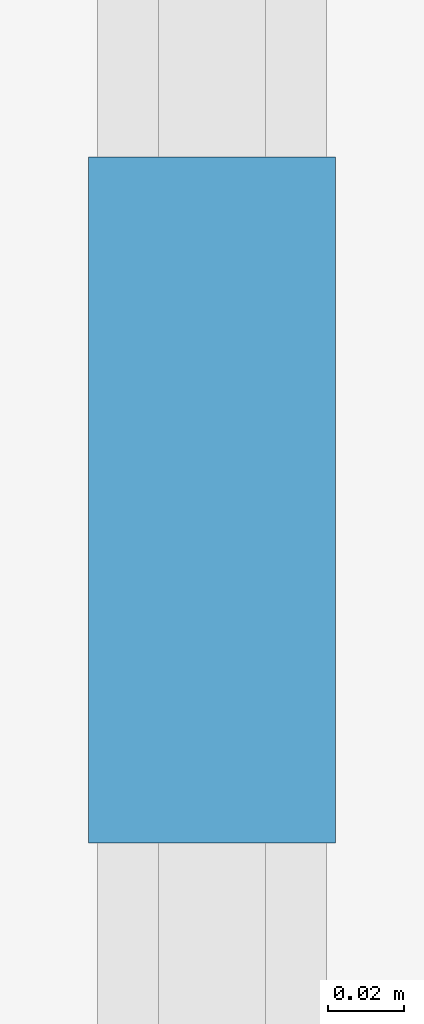
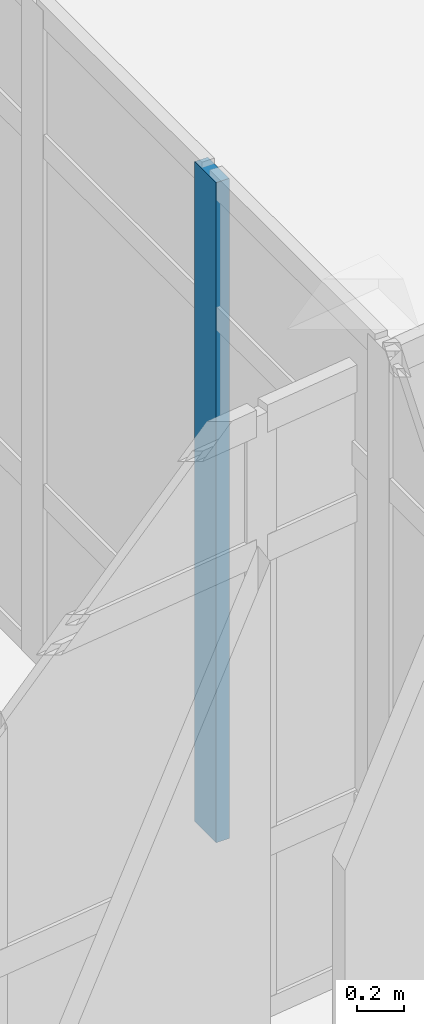
# One storey, part 42 of 125: 1 member, 1 element without a shape of its own.
"""IFC4 building model written with IfcOpenShell, lengths in metres."""

import ifcopenshell
import ifcopenshell.guid

model = None  # the IFC model being written
_history = None  # IfcOwnerHistory: only IFC2X3 demands one
_inside = {}  # id of a spatial element -> (the spatial element, [elements in it])
_under = {}  # id of a project, library or spatial element -> (it, [spatial elements below it])
_declared = {}  # id of a project -> (the project, [libraries it declares])
_typed = {}  # id of a type object -> (the type object, [elements of that type])
_made_of = {}  # id of a material, layer set ... -> (it, [elements and type objects made of it])


def new_model(schema):
    """Start an empty IFC model of exactly this schema.

    Asked for "IFC4X3", IfcOpenShell would pick the latest addendum, in which some entities
    have other attributes; the version numbers below select the first issue.
    IFC2X3 requires an IfcOwnerHistory on every rooted entity: one is made here for all.
    """
    global model, _history
    if schema == "IFC4X3":
        model = ifcopenshell.file(schema_version=(4, 3, 0, 0))
    else:
        model = ifcopenshell.file(schema=schema)
    _inside.clear()
    _under.clear()
    _declared.clear()
    _typed.clear()
    _made_of.clear()
    _history = None
    if model.schema == "IFC2X3":
        org = make("IfcOrganization", Name="unknown")
        user = make(
            "IfcPersonAndOrganization",
            ThePerson=make("IfcPerson", FamilyName="unknown"),
            TheOrganization=org,
        )
        app = make(
            "IfcApplication",
            ApplicationDeveloper=org,
            Version="unknown",
            ApplicationFullName="unknown",
            ApplicationIdentifier="unknown",
        )
        _history = make(
            "IfcOwnerHistory",
            OwningUser=user,
            OwningApplication=app,
            ChangeAction="ADDED",
            CreationDate=0,
        )
    return model


def make(cls, **values):
    """One entity of the class cls with the attributes given. An attribute that is None is left unset."""
    return model.create_entity(
        cls, **{name: value for name, value in values.items() if value is not None}
    )


def rooted(cls, **values):
    """An entity with a GlobalId (a new one), such as an element, a storey or a relation."""
    return make(cls, GlobalId=ifcopenshell.guid.new(), OwnerHistory=_history, **values)


def si_unit(unit_type, name, prefix=None):
    """IfcSIUnit, for example si_unit("LENGTHUNIT", "METRE", prefix="MILLI")."""
    return make("IfcSIUnit", UnitType=unit_type, Prefix=prefix, Name=name)


def assignment(units):
    """IfcUnitAssignment: the units of a project."""
    return None if units is None else make("IfcUnitAssignment", Units=units)


def point(xyz):
    """IfcCartesianPoint."""
    return None if xyz is None else make("IfcCartesianPoint", Coordinates=xyz)


def direction(xyz):
    """IfcDirection."""
    return None if xyz is None else make("IfcDirection", DirectionRatios=xyz)


def frame(location, z_axis=None, x_axis=None):
    """IfcAxis2Placement3D, a coordinate frame: its origin and axes. An axis left out is left unset."""
    return make(
        "IfcAxis2Placement3D",
        Location=point(location),
        Axis=direction(z_axis),
        RefDirection=direction(x_axis),
    )


def frame_2d(location, x_axis=None):
    """IfcAxis2Placement2D, a coordinate frame in the plane: its origin and x axis."""
    return make(
        "IfcAxis2Placement2D", Location=point(location), RefDirection=direction(x_axis)
    )


def origin():
    """The frame at (0, 0, 0) with its axes left unset."""
    return frame((0.0, 0.0, 0.0))


def origin_2d():
    """The frame at (0, 0) in the plane with its x axis left unset."""
    return frame_2d((0.0, 0.0))


def place(relative_to, where):
    """IfcLocalPlacement: puts the frame where relative to a parent placement (None: the world)."""
    return make(
        "IfcLocalPlacement", PlacementRelTo=relative_to, RelativePlacement=where
    )


def context(
    kind, dimensions, precision=None, world=None, true_north=None, identifier=None
):
    """IfcGeometricRepresentationContext, for example the 3D "Model" context."""
    return make(
        "IfcGeometricRepresentationContext",
        ContextIdentifier=identifier,
        ContextType=kind,
        CoordinateSpaceDimension=dimensions,
        Precision=precision,
        WorldCoordinateSystem=world,
        TrueNorth=true_north,
    )


def subcontext(parent, identifier, kind, view, scale=None):
    """IfcGeometricRepresentationSubContext, for example "Body" below "Model"."""
    return make(
        "IfcGeometricRepresentationSubContext",
        ContextIdentifier=identifier,
        ContextType=kind,
        ParentContext=parent,
        TargetScale=scale,
        TargetView=view,
    )


def project(units=None, contexts=None):
    """IfcProject with its units and contexts."""
    return rooted(
        "IfcProject",
        Name="project",
        RepresentationContexts=contexts,
        UnitsInContext=assignment(units),
    )


def spatial(cls, under=None, at=None, **own):
    """A site, building, storey or space (cls), placed at a placement, below another one or the project."""
    s = rooted(cls, ObjectPlacement=at, **own)
    if under is not None:
        _under.setdefault(under.id(), (under, []))[1].append(s)
    return s


def profile(cls, at=None, kind="AREA", **sizes):
    """A parametric profile (cls). Its sizes go by their IFC names, for example OverallWidth=200.0."""
    return make(cls, ProfileType=kind, Position=at, **sizes)


def rectangle(**sizes):
    """IfcRectangleProfileDef."""
    return profile("IfcRectangleProfileDef", **sizes)


def extrude(swept, where, along, depth):
    """IfcExtrudedAreaSolid: the profile swept, set in the frame where, extruded along a direction by depth."""
    return make(
        "IfcExtrudedAreaSolid",
        SweptArea=swept,
        Position=where,
        ExtrudedDirection=direction(along),
        Depth=depth,
    )


def shape(context_of_items, identifier, shape_type, items):
    """IfcShapeRepresentation: the items that make up one representation, for example the "Body"."""
    return make(
        "IfcShapeRepresentation",
        ContextOfItems=context_of_items,
        RepresentationIdentifier=identifier,
        RepresentationType=shape_type,
        Items=items,
    )


def material(Name=None, Category=None):
    """IfcMaterial."""
    return make("IfcMaterial", Name=Name, Category=Category)


def layer(
    of_material, thickness, ventilated=None, Name=None, Category=None, Priority=None
):
    """IfcMaterialLayer: one layer of a wall or slab, of a material (None: an air gap)."""
    return make(
        "IfcMaterialLayer",
        Material=of_material,
        LayerThickness=thickness,
        IsVentilated=ventilated,
        Name=Name,
        Category=Category,
        Priority=Priority,
    )


def layer_set(layers, Name=None):
    """IfcMaterialLayerSet."""
    return make("IfcMaterialLayerSet", MaterialLayers=layers, LayerSetName=Name)


def material_profile(
    of_material, cross_section, Name=None, Category=None, Priority=None
):
    """IfcMaterialProfile: a cross section and its material."""
    return make(
        "IfcMaterialProfile",
        Name=Name,
        Material=of_material,
        Profile=cross_section,
        Priority=Priority,
        Category=Category,
    )


def profile_set(profiles, Name=None, composite=None):
    """IfcMaterialProfileSet."""
    return make(
        "IfcMaterialProfileSet",
        Name=Name,
        MaterialProfiles=profiles,
        CompositeProfile=composite,
    )


def made_of(thing, what):
    """Note that an element or type object is made of a material, layer set ...; save() writes the relation."""
    if what is not None:
        _made_of.setdefault(what.id(), (what, []))[1].append(thing)
    return thing


def type_object(cls, material=None, **own):
    """A type object (cls), such as IfcWallType, which elements share."""
    return made_of(rooted(cls, **own), material)


def element(
    cls,
    number,
    at=None,
    inside=None,
    cuts=None,
    type_object=None,
    material=None,
    context=None,
    identifier="Body",
    shape_type=None,
    held_by="IfcProductDefinitionShape",
    body=None,
    shapes=None,
    **own,
):
    """One element of the class cls, such as IfcWall. Its Tag is "e" and its number.

    at: its placement. inside: the storey or other place that contains it. cuts: it is an
    opening in that element (IfcRelVoidsElement). A single representation is given by context,
    identifier, shape_type and body (its items); several are given by shapes. held_by: the class
    of the entity that holds the representations. save() writes the other relations.
    """
    e = rooted(cls, Tag="e%d" % number, ObjectPlacement=at, **own)
    if body is not None:
        shapes = [shape(context, identifier, shape_type, body)]
    if shapes is not None:
        e.Representation = make(held_by, Representations=shapes)
    if inside is not None:
        _inside.setdefault(inside.id(), (inside, []))[1].append(e)
    if cuts is not None:
        rooted(
            "IfcRelVoidsElement", RelatingBuildingElement=cuts, RelatedOpeningElement=e
        )
    if type_object is not None:
        _typed.setdefault(type_object.id(), (type_object, []))[1].append(e)
    return made_of(e, material)


def aggregate(whole, parts):
    """IfcRelAggregates: a whole, such as a stair, and the parts it consists of."""
    return rooted("IfcRelAggregates", RelatingObject=whole, RelatedObjects=parts)


def save(model, path):
    """Write the relations noted so far, then the file.

    IfcRelAggregates (storeys below a building ...), IfcRelContainedInSpatialStructure (elements
    in a storey), IfcRelDefinesByType, IfcRelAssociatesMaterial and IfcRelDeclares: one each for
    every whole, place, type object, material and project.
    """
    for whole, parts in _under.values():
        aggregate(whole, parts)
    for where, things in _inside.values():
        rooted(
            "IfcRelContainedInSpatialStructure",
            RelatedElements=things,
            RelatingStructure=where,
        )
    for kind, things in _typed.values():
        rooted("IfcRelDefinesByType", RelatedObjects=things, RelatingType=kind)
    for what, things in _made_of.values():
        rooted("IfcRelAssociatesMaterial", RelatedObjects=things, RelatingMaterial=what)
    for by, libraries in _declared.values():
        rooted("IfcRelDeclares", RelatingContext=by, RelatedDefinitions=libraries)
    model.write(path)


model = new_model("IFC4")

# Units and contexts
model_context = context("Model", 3, precision=1e-05, world=origin(), true_north=direction((0.0, 1.0)))
body_context = subcontext(model_context, "Body", "Model", "MODEL_VIEW")
ifc_project = project(units=[si_unit("LENGTHUNIT", "METRE"), si_unit("AREAUNIT", "SQUARE_METRE"), si_unit("VOLUMEUNIT", "CUBIC_METRE"), si_unit("PLANEANGLEUNIT", "RADIAN"), si_unit("MASSUNIT", "GRAM", prefix="KILO")], contexts=[model_context])

# Site, building, storey
site_placement = place(None, origin())
site = spatial("IfcSite", under=ifc_project, at=site_placement, CompositionType="ELEMENT")
building_placement = place(site_placement, origin())
building = spatial("IfcBuilding", under=site, at=building_placement, Name="Sohan Crest Arena", CompositionType="ELEMENT")
storey_placement = place(building_placement, frame((0.0, 0.0, 9.0)))
storey = spatial("IfcBuildingStorey", under=building, at=storey_placement, Name="L02", CompositionType="ELEMENT", Elevation=9.0)

# Curtain wall, member
ifc_material = material(Name="Thermally broken anodised aluminium", Category="aluminium")
ifc_layer = layer(ifc_material, 0.18994140625, Name="Thermally broken anodised aluminium")
ifc_layer_set = layer_set([ifc_layer], Name="Thermally broken anodised aluminium")
curtain_wall_type = type_object("IfcCurtainWallType", Name="ARC-CW05", PredefinedType="NOTDEFINED", material=ifc_layer_set)
curtain_wall_placement = place(storey_placement, origin())
curtain_wall = element("IfcCurtainWall", 1, at=curtain_wall_placement, inside=storey, type_object=curtain_wall_type, Name="Unitised curtain wall CW-258", PredefinedType="NOTDEFINED")
ifc_material_profile = material_profile(ifc_material, rectangle(XDim=0.06494140625, YDim=0.179931640625, at=origin_2d()), Name="ALU-MULL 65x180")
ifc_profile_set = profile_set([ifc_material_profile], Name="Thermally broken anodised aluminium")
member_type = type_object("IfcMemberType", Name="ARC-CW-ML02", PredefinedType="MULLION", material=ifc_profile_set)
member_placement = place(storey_placement, frame((141.3798828125, 36.9599609375, 0.0), z_axis=(0.0, 0.0, 1.0), x_axis=(-1.0, 0.0, 0.0)))
member = element("IfcMember", 2, at=member_placement, type_object=member_type, Name="CW-258 mullion 7", PredefinedType="MULLION", context=body_context, shape_type="SweptSolid", body=[
    extrude(rectangle(XDim=0.06494140625, YDim=0.179931640625, at=origin_2d()), origin(), (0.0, 0.0, 1.0), 3.39990234375),
])
aggregate(curtain_wall, [member])

save(model, "model.ifc")
